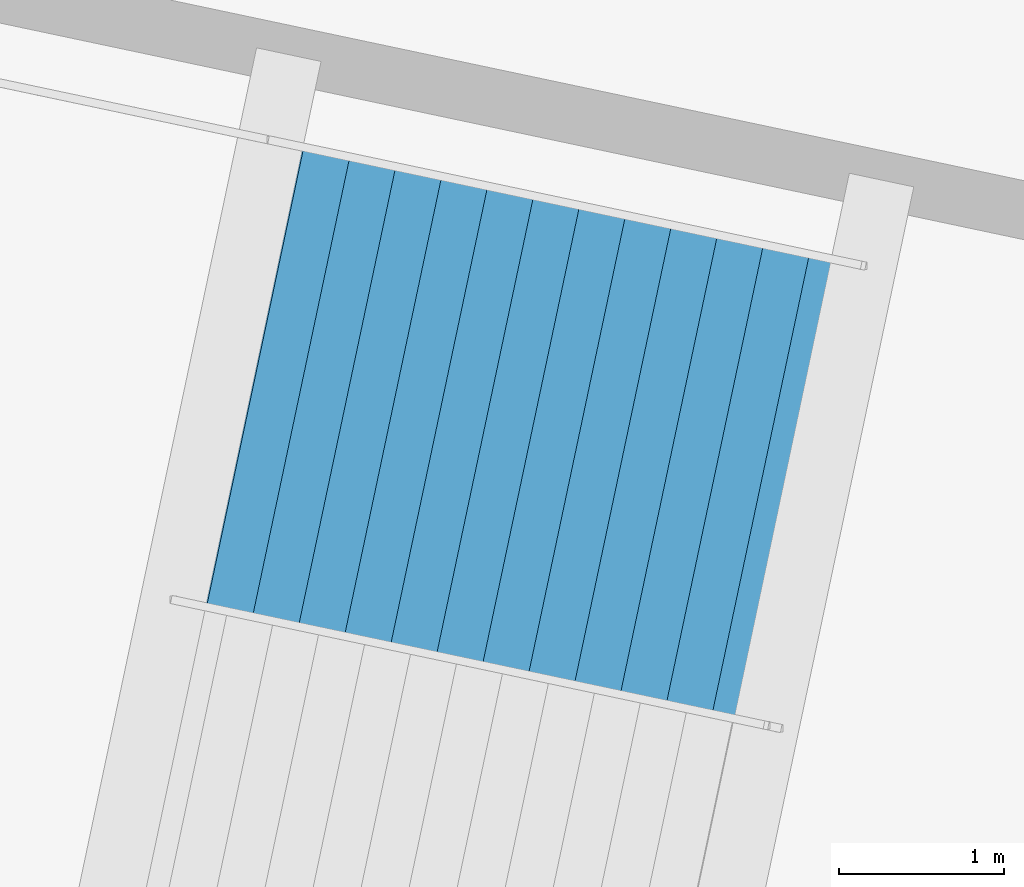
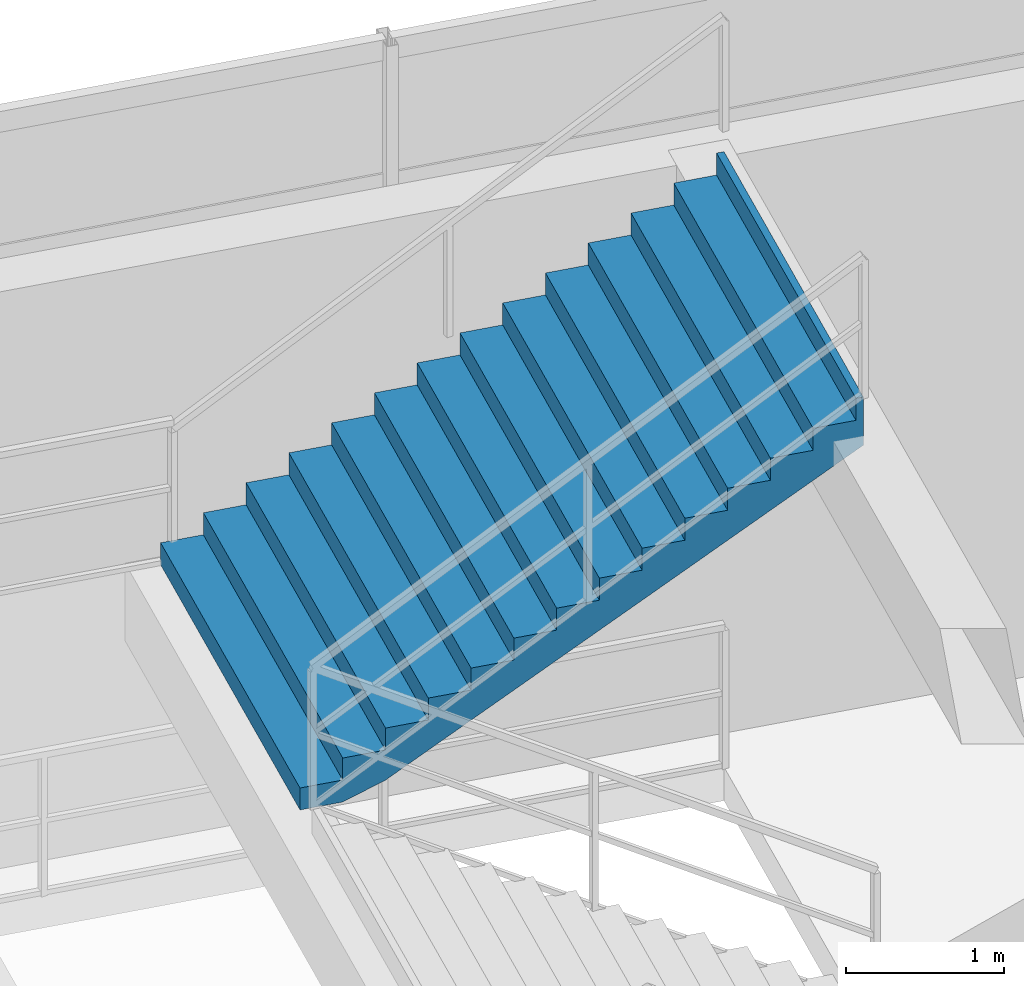
# One storey, part 163 of 171: 1 stair flight, 1 element without a shape of its own.
"""IFC4 building model written with IfcOpenShell, lengths in metres."""

from ifc_helpers import new_model, si_unit, direction, frame, origin, place, context, subcontext, project, spatial, polygons, material, type_object, element, aggregate, save


model = new_model("IFC4")

# Units and contexts
model_context = context("Model", 3, precision=1e-05, world=origin(), true_north=direction((0.0, 1.0)))
body_context = subcontext(model_context, "Body", "Model", "MODEL_VIEW")
ifc_project = project(units=[si_unit("LENGTHUNIT", "METRE"), si_unit("AREAUNIT", "SQUARE_METRE"), si_unit("VOLUMEUNIT", "CUBIC_METRE"), si_unit("PLANEANGLEUNIT", "RADIAN"), si_unit("MASSUNIT", "GRAM", prefix="KILO")], contexts=[model_context])

# Site, building, storey
site_placement = place(None, origin())
site = spatial("IfcSite", under=ifc_project, at=site_placement, CompositionType="ELEMENT")
building_placement = place(site_placement, origin())
building = spatial("IfcBuilding", under=site, at=building_placement, Name="Kazemori Nagisa Stadium", CompositionType="ELEMENT")
storey_placement = place(building_placement, frame((0.0, 0.0, 15.639892578125)))
storey = spatial("IfcBuildingStorey", under=building, at=storey_placement, Name="L03", CompositionType="ELEMENT", Elevation=15.639892578125)

# Stair, stair flight
ifc_material = material(Name="Concrete C36/45 (Fc36)", Category="concrete")
stair_type = type_object("IfcStairType", Name="Stair_CORE_28", PredefinedType="TWO_STRAIGHT_RUN_STAIR", material=ifc_material)
stair_placement = place(storey_placement, origin())
stair = element("IfcStair", 1, at=stair_placement, inside=storey, type_object=stair_type, Name="Exit stair ST11 L03", PredefinedType="TWO_STRAIGHT_RUN_STAIR")
stair_flight_type = type_object("IfcStairFlightType", Name="Flight_CORE_14", PredefinedType="STRAIGHT", material=ifc_material)
stair_flight_placement = place(storey_placement, frame((155.090087890625, 180.046142578125, 2.380126953125), z_axis=(0.0, 0.0, 1.0), x_axis=(0.978345854204, -0.206976785078, 0.0)))
stair_flight = element("IfcStairFlight", 2, at=stair_flight_placement, type_object=stair_flight_type, Name="Exit stair ST11 L03 flight 2", NumberOfRisers=14, NumberOfTreads=13, PredefinedType="STRAIGHT", RiserHeight=0.17, TreadLength=0.285, context=body_context, shape_type="Tessellation", body=[
    polygons([(0.0, -1.425048828125, 0.0), (0.0, -1.425048828125, 0.169921875), (0.284912109375, -1.425048828125, 0.169921875), (0.284912109375, -1.425048828125, 0.340087890625), (0.570068359375, -1.425048828125, 0.340087890625), (0.570068359375, -1.425048828125, 0.510009765625), (0.85498046875, -1.425048828125, 0.510009765625), (0.85498046875, -1.425048828125, 0.679931640625), (1.139892578125, -1.425048828125, 0.679931640625), (1.139892578125, -1.425048828125, 0.85009765625), (1.425048828125, -1.425048828125, 0.85009765625), (1.425048828125, -1.425048828125, 1.02001953125), (1.7099609375, -1.425048828125, 1.02001953125), (1.7099609375, -1.425048828125, 1.18994140625), (1.9951171875, -1.425048828125, 1.18994140625), (1.9951171875, -1.425048828125, 1.360107421875), (2.280029296875, -1.425048828125, 1.360107421875), (2.280029296875, -1.425048828125, 1.530029296875), (2.56494140625, -1.425048828125, 1.530029296875), (2.56494140625, -1.425048828125, 1.699951171875), (2.85009765625, -1.425048828125, 1.699951171875), (2.85009765625, -1.425048828125, 1.8701171875), (3.135009765625, -1.425048828125, 1.8701171875), (3.135009765625, -1.425048828125, 2.0400390625), (3.419921875, -1.425048828125, 2.0400390625), (3.419921875, -1.425048828125, 2.2099609375), (3.705078125, -1.425048828125, 2.2099609375), (3.705078125, -1.425048828125, 2.3798828125), (3.7548828125, -1.425048828125, 2.3798828125), (3.7548828125, -1.425048828125, 2.007080078125), (3.705078125, -1.425048828125, 1.977294921875), (3.419921875, -1.425048828125, 1.80712890625), (3.135009765625, -1.425048828125, 1.63720703125), (2.85009765625, -1.425048828125, 1.46728515625), (2.56494140625, -1.425048828125, 1.297119140625), (2.280029296875, -1.425048828125, 1.127197265625), (1.9951171875, -1.425048828125, 0.957275390625), (1.7099609375, -1.425048828125, 0.787109375), (1.425048828125, -1.425048828125, 0.6171875), (1.139892578125, -1.425048828125, 0.447265625), (0.85498046875, -1.425048828125, 0.277099609375), (0.570068359375, -1.425048828125, 0.107177734375), (0.284912109375, -1.425048828125, 0.0), (0.0, -0.08544921875, 0.0), (0.0, -0.08544921875, 0.169921875), (0.284912109375, -0.08544921875, 0.169921875), (0.284912109375, -0.08544921875, 0.340087890625), (0.570068359375, -0.08544921875, 0.340087890625), (0.570068359375, -0.08544921875, 0.510009765625), (0.85498046875, -0.08544921875, 0.510009765625), (0.85498046875, -0.08544921875, 0.679931640625), (1.139892578125, -0.08544921875, 0.679931640625), (1.139892578125, -0.08544921875, 0.85009765625), (1.425048828125, -0.08544921875, 0.85009765625), (1.425048828125, -0.08544921875, 1.02001953125), (1.7099609375, -0.08544921875, 1.02001953125), (1.7099609375, -0.08544921875, 1.18994140625), (1.9951171875, -0.08544921875, 1.18994140625), (1.9951171875, -0.08544921875, 1.360107421875), (2.280029296875, -0.08544921875, 1.360107421875), (2.280029296875, -0.08544921875, 1.530029296875), (2.56494140625, -0.08544921875, 1.530029296875), (2.56494140625, -0.08544921875, 1.699951171875), (2.85009765625, -0.08544921875, 1.699951171875), (2.85009765625, -0.08544921875, 1.8701171875), (3.135009765625, -0.08544921875, 1.8701171875), (3.135009765625, -0.08544921875, 2.0400390625), (3.419921875, -0.08544921875, 2.0400390625), (3.419921875, -0.08544921875, 2.2099609375), (3.705078125, -0.08544921875, 2.2099609375), (3.705078125, -0.08544921875, 2.3798828125), (3.7548828125, -0.08544921875, 2.3798828125), (3.7548828125, -0.08544921875, 2.007080078125), (3.705078125, -0.08544921875, 1.977294921875), (3.419921875, -0.08544921875, 1.80712890625), (3.135009765625, -0.08544921875, 1.63720703125), (2.85009765625, -0.08544921875, 1.46728515625), (2.56494140625, -0.08544921875, 1.297119140625), (2.280029296875, -0.08544921875, 1.127197265625), (1.9951171875, -0.08544921875, 0.957275390625), (1.7099609375, -0.08544921875, 0.787109375), (1.425048828125, -0.08544921875, 0.6171875), (1.139892578125, -0.08544921875, 0.447265625), (0.85498046875, -0.08544921875, 0.277099609375), (0.570068359375, -0.08544921875, 0.107177734375), (0.284912109375, -0.08544921875, 0.0), (0.0, 0.0, 0.0), (0.0, 0.0, 0.169921875), (0.284912109375, 0.0, 0.169921875), (0.284912109375, 0.0, 0.340087890625), (0.570068359375, 0.0, 0.340087890625), (0.570068359375, 0.0, 0.510009765625), (0.85498046875, 0.0, 0.510009765625), (0.85498046875, 0.0, 0.679931640625), (1.139892578125, 0.0, 0.679931640625), (1.139892578125, 0.0, 0.85009765625), (1.425048828125, 0.0, 0.85009765625), (1.425048828125, 0.0, 1.02001953125), (1.7099609375, 0.0, 1.02001953125), (1.7099609375, 0.0, 1.18994140625), (1.9951171875, 0.0, 1.18994140625), (1.9951171875, 0.0, 1.360107421875), (2.280029296875, 0.0, 1.360107421875), (2.280029296875, 0.0, 1.530029296875), (2.56494140625, 0.0, 1.530029296875), (2.56494140625, 0.0, 1.699951171875), (2.85009765625, 0.0, 1.699951171875), (2.85009765625, 0.0, 1.8701171875), (3.135009765625, 0.0, 1.8701171875), (3.135009765625, 0.0, 2.0400390625), (3.419921875, 0.0, 2.0400390625), (3.419921875, 0.0, 2.2099609375), (3.705078125, 0.0, 2.2099609375), (3.705078125, 0.0, 2.3798828125), (3.7548828125, 0.0, 2.3798828125), (3.7548828125, 0.0, 2.007080078125), (3.705078125, 0.0, 1.977294921875), (3.419921875, 0.0, 1.80712890625), (3.135009765625, 0.0, 1.63720703125), (2.85009765625, 0.0, 1.46728515625), (2.56494140625, 0.0, 1.297119140625), (2.280029296875, 0.0, 1.127197265625), (1.9951171875, 0.0, 0.957275390625), (1.7099609375, 0.0, 0.787109375), (1.425048828125, 0.0, 0.6171875), (1.139892578125, 0.0, 0.447265625), (0.85498046875, 0.0, 0.277099609375), (0.570068359375, 0.0, 0.107177734375), (0.284912109375, 0.0, 0.0), (0.0, 0.08544921875, 0.0), (0.0, 0.08544921875, 0.169921875), (0.284912109375, 0.08544921875, 0.169921875), (0.284912109375, 0.08544921875, 0.340087890625), (0.570068359375, 0.08544921875, 0.340087890625), (0.570068359375, 0.08544921875, 0.510009765625), (0.85498046875, 0.08544921875, 0.510009765625), (0.85498046875, 0.08544921875, 0.679931640625), (1.139892578125, 0.08544921875, 0.679931640625), (1.139892578125, 0.08544921875, 0.85009765625), (1.425048828125, 0.08544921875, 0.85009765625), (1.425048828125, 0.08544921875, 1.02001953125), (1.7099609375, 0.08544921875, 1.02001953125), (1.7099609375, 0.08544921875, 1.18994140625), (1.9951171875, 0.08544921875, 1.18994140625), (1.9951171875, 0.08544921875, 1.360107421875), (2.280029296875, 0.08544921875, 1.360107421875), (2.280029296875, 0.08544921875, 1.530029296875), (2.56494140625, 0.08544921875, 1.530029296875), (2.56494140625, 0.08544921875, 1.699951171875), (2.85009765625, 0.08544921875, 1.699951171875), (2.85009765625, 0.08544921875, 1.8701171875), (3.135009765625, 0.08544921875, 1.8701171875), (3.135009765625, 0.08544921875, 2.0400390625), (3.419921875, 0.08544921875, 2.0400390625), (3.419921875, 0.08544921875, 2.2099609375), (3.705078125, 0.08544921875, 2.2099609375), (3.705078125, 0.08544921875, 2.3798828125), (3.7548828125, 0.08544921875, 2.3798828125), (3.7548828125, 0.08544921875, 2.007080078125), (3.705078125, 0.08544921875, 1.977294921875), (3.419921875, 0.08544921875, 1.80712890625), (3.135009765625, 0.08544921875, 1.63720703125), (2.85009765625, 0.08544921875, 1.46728515625), (2.56494140625, 0.08544921875, 1.297119140625), (2.280029296875, 0.08544921875, 1.127197265625), (1.9951171875, 0.08544921875, 0.957275390625), (1.7099609375, 0.08544921875, 0.787109375), (1.425048828125, 0.08544921875, 0.6171875), (1.139892578125, 0.08544921875, 0.447265625), (0.85498046875, 0.08544921875, 0.277099609375), (0.570068359375, 0.08544921875, 0.107177734375), (0.284912109375, 0.08544921875, 0.0), (0.0, 1.425048828125, 0.0), (0.0, 1.425048828125, 0.169921875), (0.284912109375, 1.425048828125, 0.169921875), (0.284912109375, 1.425048828125, 0.340087890625), (0.570068359375, 1.425048828125, 0.340087890625), (0.570068359375, 1.425048828125, 0.510009765625), (0.85498046875, 1.425048828125, 0.510009765625), (0.85498046875, 1.425048828125, 0.679931640625), (1.139892578125, 1.425048828125, 0.679931640625), (1.139892578125, 1.425048828125, 0.85009765625), (1.425048828125, 1.425048828125, 0.85009765625), (1.425048828125, 1.425048828125, 1.02001953125), (1.7099609375, 1.425048828125, 1.02001953125), (1.7099609375, 1.425048828125, 1.18994140625), (1.9951171875, 1.425048828125, 1.18994140625), (1.9951171875, 1.425048828125, 1.360107421875), (2.280029296875, 1.425048828125, 1.360107421875), (2.280029296875, 1.425048828125, 1.530029296875), (2.56494140625, 1.425048828125, 1.530029296875), (2.56494140625, 1.425048828125, 1.699951171875), (2.85009765625, 1.425048828125, 1.699951171875), (2.85009765625, 1.425048828125, 1.8701171875), (3.135009765625, 1.425048828125, 1.8701171875), (3.135009765625, 1.425048828125, 2.0400390625), (3.419921875, 1.425048828125, 2.0400390625), (3.419921875, 1.425048828125, 2.2099609375), (3.705078125, 1.425048828125, 2.2099609375), (3.705078125, 1.425048828125, 2.3798828125), (3.7548828125, 1.425048828125, 2.3798828125), (3.7548828125, 1.425048828125, 2.007080078125), (3.705078125, 1.425048828125, 1.977294921875), (3.419921875, 1.425048828125, 1.80712890625), (3.135009765625, 1.425048828125, 1.63720703125), (2.85009765625, 1.425048828125, 1.46728515625), (2.56494140625, 1.425048828125, 1.297119140625), (2.280029296875, 1.425048828125, 1.127197265625), (1.9951171875, 1.425048828125, 0.957275390625), (1.7099609375, 1.425048828125, 0.787109375), (1.425048828125, 1.425048828125, 0.6171875), (1.139892578125, 1.425048828125, 0.447265625), (0.85498046875, 1.425048828125, 0.277099609375), (0.570068359375, 1.425048828125, 0.107177734375), (0.284912109375, 1.425048828125, 0.0)], [[[1, 2, 45]], [[1, 45, 44]], [[2, 3, 46]], [[2, 46, 45]], [[3, 4, 47]], [[3, 47, 46]], [[4, 5, 48]], [[4, 48, 47]], [[5, 6, 49]], [[5, 49, 48]], [[6, 7, 50]], [[6, 50, 49]], [[7, 8, 51]], [[7, 51, 50]], [[8, 9, 52]], [[8, 52, 51]], [[9, 10, 53]], [[9, 53, 52]], [[10, 11, 54]], [[10, 54, 53]], [[11, 12, 55]], [[11, 55, 54]], [[12, 13, 56]], [[12, 56, 55]], [[13, 14, 57]], [[13, 57, 56]], [[14, 15, 58]], [[14, 58, 57]], [[15, 16, 59]], [[15, 59, 58]], [[16, 17, 60]], [[16, 60, 59]], [[17, 18, 61]], [[17, 61, 60]], [[18, 19, 62]], [[18, 62, 61]], [[19, 20, 63]], [[19, 63, 62]], [[20, 21, 64]], [[20, 64, 63]], [[21, 22, 65]], [[21, 65, 64]], [[22, 23, 66]], [[22, 66, 65]], [[23, 24, 67]], [[23, 67, 66]], [[24, 25, 68]], [[24, 68, 67]], [[25, 26, 69]], [[25, 69, 68]], [[26, 27, 70]], [[26, 70, 69]], [[27, 28, 71]], [[27, 71, 70]], [[28, 29, 72]], [[28, 72, 71]], [[29, 30, 73]], [[29, 73, 72]], [[30, 31, 74]], [[30, 74, 73]], [[31, 32, 75]], [[31, 75, 74]], [[32, 33, 76]], [[32, 76, 75]], [[33, 34, 77]], [[33, 77, 76]], [[34, 35, 78]], [[34, 78, 77]], [[35, 36, 79]], [[35, 79, 78]], [[36, 37, 80]], [[36, 80, 79]], [[37, 38, 81]], [[37, 81, 80]], [[38, 39, 82]], [[38, 82, 81]], [[39, 40, 83]], [[39, 83, 82]], [[40, 41, 84]], [[40, 84, 83]], [[41, 42, 85]], [[41, 85, 84]], [[42, 43, 86]], [[42, 86, 85]], [[43, 1, 44]], [[43, 44, 86]], [[44, 45, 88]], [[44, 88, 87]], [[45, 46, 89]], [[45, 89, 88]], [[46, 47, 90]], [[46, 90, 89]], [[47, 48, 91]], [[47, 91, 90]], [[48, 49, 92]], [[48, 92, 91]], [[49, 50, 93]], [[49, 93, 92]], [[50, 51, 94]], [[50, 94, 93]], [[51, 52, 95]], [[51, 95, 94]], [[52, 53, 96]], [[52, 96, 95]], [[53, 54, 97]], [[53, 97, 96]], [[54, 55, 98]], [[54, 98, 97]], [[55, 56, 99]], [[55, 99, 98]], [[56, 57, 100]], [[56, 100, 99]], [[57, 58, 101]], [[57, 101, 100]], [[58, 59, 102]], [[58, 102, 101]], [[59, 60, 103]], [[59, 103, 102]], [[60, 61, 104]], [[60, 104, 103]], [[61, 62, 105]], [[61, 105, 104]], [[62, 63, 106]], [[62, 106, 105]], [[63, 64, 107]], [[63, 107, 106]], [[64, 65, 108]], [[64, 108, 107]], [[65, 66, 109]], [[65, 109, 108]], [[66, 67, 110]], [[66, 110, 109]], [[67, 68, 111]], [[67, 111, 110]], [[68, 69, 112]], [[68, 112, 111]], [[69, 70, 113]], [[69, 113, 112]], [[70, 71, 114]], [[70, 114, 113]], [[71, 72, 115]], [[71, 115, 114]], [[72, 73, 116]], [[72, 116, 115]], [[73, 74, 117]], [[73, 117, 116]], [[74, 75, 118]], [[74, 118, 117]], [[75, 76, 119]], [[75, 119, 118]], [[76, 77, 120]], [[76, 120, 119]], [[77, 78, 121]], [[77, 121, 120]], [[78, 79, 122]], [[78, 122, 121]], [[79, 80, 123]], [[79, 123, 122]], [[80, 81, 124]], [[80, 124, 123]], [[81, 82, 125]], [[81, 125, 124]], [[82, 83, 126]], [[82, 126, 125]], [[83, 84, 127]], [[83, 127, 126]], [[84, 85, 128]], [[84, 128, 127]], [[85, 86, 129]], [[85, 129, 128]], [[86, 44, 87]], [[86, 87, 129]], [[87, 88, 131]], [[87, 131, 130]], [[88, 89, 132]], [[88, 132, 131]], [[89, 90, 133]], [[89, 133, 132]], [[90, 91, 134]], [[90, 134, 133]], [[91, 92, 135]], [[91, 135, 134]], [[92, 93, 136]], [[92, 136, 135]], [[93, 94, 137]], [[93, 137, 136]], [[94, 95, 138]], [[94, 138, 137]], [[95, 96, 139]], [[95, 139, 138]], [[96, 97, 140]], [[96, 140, 139]], [[97, 98, 141]], [[97, 141, 140]], [[98, 99, 142]], [[98, 142, 141]], [[99, 100, 143]], [[99, 143, 142]], [[100, 101, 144]], [[100, 144, 143]], [[101, 102, 145]], [[101, 145, 144]], [[102, 103, 146]], [[102, 146, 145]], [[103, 104, 147]], [[103, 147, 146]], [[104, 105, 148]], [[104, 148, 147]], [[105, 106, 149]], [[105, 149, 148]], [[106, 107, 150]], [[106, 150, 149]], [[107, 108, 151]], [[107, 151, 150]], [[108, 109, 152]], [[108, 152, 151]], [[109, 110, 153]], [[109, 153, 152]], [[110, 111, 154]], [[110, 154, 153]], [[111, 112, 155]], [[111, 155, 154]], [[112, 113, 156]], [[112, 156, 155]], [[113, 114, 157]], [[113, 157, 156]], [[114, 115, 158]], [[114, 158, 157]], [[115, 116, 159]], [[115, 159, 158]], [[116, 117, 160]], [[116, 160, 159]], [[117, 118, 161]], [[117, 161, 160]], [[118, 119, 162]], [[118, 162, 161]], [[119, 120, 163]], [[119, 163, 162]], [[120, 121, 164]], [[120, 164, 163]], [[121, 122, 165]], [[121, 165, 164]], [[122, 123, 166]], [[122, 166, 165]], [[123, 124, 167]], [[123, 167, 166]], [[124, 125, 168]], [[124, 168, 167]], [[125, 126, 169]], [[125, 169, 168]], [[126, 127, 170]], [[126, 170, 169]], [[127, 128, 171]], [[127, 171, 170]], [[128, 129, 172]], [[128, 172, 171]], [[129, 87, 130]], [[129, 130, 172]], [[130, 131, 174]], [[130, 174, 173]], [[131, 132, 175]], [[131, 175, 174]], [[132, 133, 176]], [[132, 176, 175]], [[133, 134, 177]], [[133, 177, 176]], [[134, 135, 178]], [[134, 178, 177]], [[135, 136, 179]], [[135, 179, 178]], [[136, 137, 180]], [[136, 180, 179]], [[137, 138, 181]], [[137, 181, 180]], [[138, 139, 182]], [[138, 182, 181]], [[139, 140, 183]], [[139, 183, 182]], [[140, 141, 184]], [[140, 184, 183]], [[141, 142, 185]], [[141, 185, 184]], [[142, 143, 186]], [[142, 186, 185]], [[143, 144, 187]], [[143, 187, 186]], [[144, 145, 188]], [[144, 188, 187]], [[145, 146, 189]], [[145, 189, 188]], [[146, 147, 190]], [[146, 190, 189]], [[147, 148, 191]], [[147, 191, 190]], [[148, 149, 192]], [[148, 192, 191]], [[149, 150, 193]], [[149, 193, 192]], [[150, 151, 194]], [[150, 194, 193]], [[151, 152, 195]], [[151, 195, 194]], [[152, 153, 196]], [[152, 196, 195]], [[153, 154, 197]], [[153, 197, 196]], [[154, 155, 198]], [[154, 198, 197]], [[155, 156, 199]], [[155, 199, 198]], [[156, 157, 200]], [[156, 200, 199]], [[157, 158, 201]], [[157, 201, 200]], [[158, 159, 202]], [[158, 202, 201]], [[159, 160, 203]], [[159, 203, 202]], [[160, 161, 204]], [[160, 204, 203]], [[161, 162, 205]], [[161, 205, 204]], [[162, 163, 206]], [[162, 206, 205]], [[163, 164, 207]], [[163, 207, 206]], [[164, 165, 208]], [[164, 208, 207]], [[165, 166, 209]], [[165, 209, 208]], [[166, 167, 210]], [[166, 210, 209]], [[167, 168, 211]], [[167, 211, 210]], [[168, 169, 212]], [[168, 212, 211]], [[169, 170, 213]], [[169, 213, 212]], [[170, 171, 214]], [[170, 214, 213]], [[171, 172, 215]], [[171, 215, 214]], [[172, 130, 173]], [[172, 173, 215]], [[3, 2, 1]], [[173, 174, 175]], [[43, 3, 1]], [[173, 175, 215]], [[42, 3, 43]], [[215, 175, 214]], [[5, 3, 42]], [[214, 175, 177]], [[5, 4, 3]], [[175, 176, 177]], [[41, 5, 42]], [[214, 177, 213]], [[7, 5, 41]], [[213, 177, 179]], [[7, 6, 5]], [[177, 178, 179]], [[40, 7, 41]], [[213, 179, 212]], [[9, 7, 40]], [[212, 179, 181]], [[9, 8, 7]], [[179, 180, 181]], [[39, 9, 40]], [[212, 181, 211]], [[11, 9, 39]], [[211, 181, 183]], [[11, 10, 9]], [[181, 182, 183]], [[38, 11, 39]], [[211, 183, 210]], [[13, 11, 38]], [[210, 183, 185]], [[13, 12, 11]], [[183, 184, 185]], [[37, 13, 38]], [[210, 185, 209]], [[15, 13, 37]], [[209, 185, 187]], [[15, 14, 13]], [[185, 186, 187]], [[36, 15, 37]], [[209, 187, 208]], [[17, 15, 36]], [[208, 187, 189]], [[17, 16, 15]], [[187, 188, 189]], [[35, 17, 36]], [[208, 189, 207]], [[19, 17, 35]], [[207, 189, 191]], [[19, 18, 17]], [[189, 190, 191]], [[34, 19, 35]], [[207, 191, 206]], [[21, 19, 34]], [[206, 191, 193]], [[21, 20, 19]], [[191, 192, 193]], [[33, 21, 34]], [[206, 193, 205]], [[23, 21, 33]], [[205, 193, 195]], [[23, 22, 21]], [[193, 194, 195]], [[32, 23, 33]], [[205, 195, 204]], [[25, 23, 32]], [[204, 195, 197]], [[25, 24, 23]], [[195, 196, 197]], [[31, 25, 32]], [[204, 197, 203]], [[27, 25, 31]], [[203, 197, 199]], [[27, 26, 25]], [[197, 198, 199]], [[30, 27, 31]], [[203, 199, 202]], [[29, 27, 30]], [[202, 199, 201]], [[29, 28, 27]], [[199, 200, 201]]], closed=True),
])
aggregate(stair, [stair_flight])

save(model, "model.ifc")
